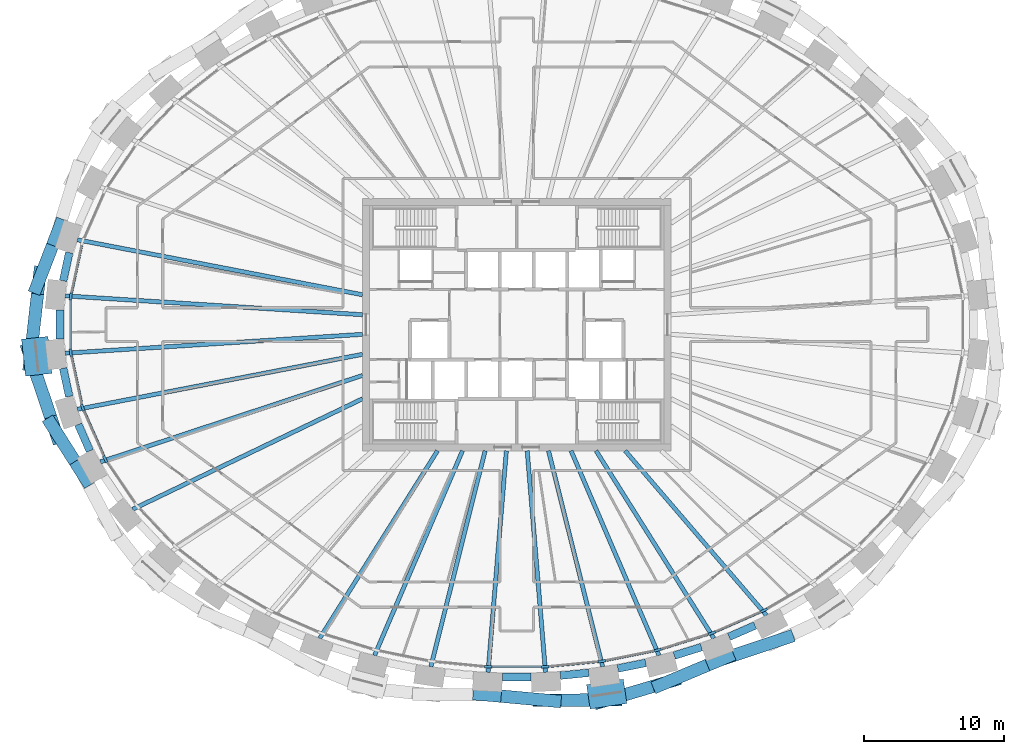
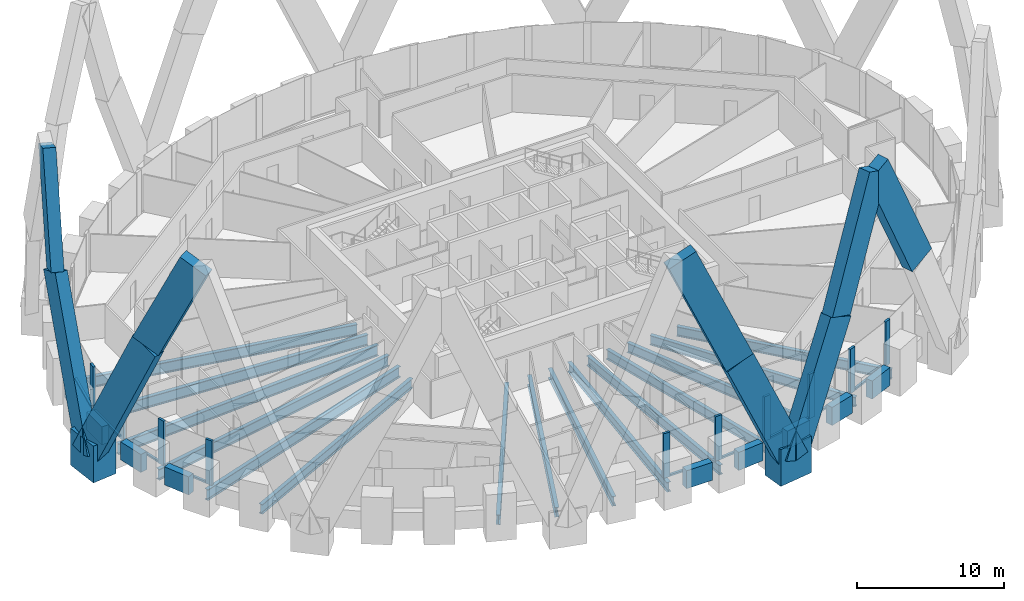
# One storey, part 2 of 14: 30 members, 24 beams, 1 element without a shape of its own.
"""IFC4 building model written with IfcOpenShell, lengths in metres."""

from ifc_helpers import new_model, si_unit, direction, frame, origin, origin_2d, place, context, subcontext, project, spatial, rectangle, i_section, extrude, source, transform, mapped, material, material_profile, profile_set, type_object, element, aggregate, save


model = new_model("IFC4")

# Units and contexts
model_context = context("Model", 3, precision=1e-05, world=origin(), true_north=direction((0.0, 1.0)))
body_context = subcontext(model_context, "Body", "Model", "MODEL_VIEW")
ifc_project = project(units=[si_unit("LENGTHUNIT", "METRE"), si_unit("AREAUNIT", "SQUARE_METRE"), si_unit("VOLUMEUNIT", "CUBIC_METRE"), si_unit("PLANEANGLEUNIT", "RADIAN"), si_unit("MASSUNIT", "GRAM", prefix="KILO")], contexts=[model_context])

# Site, building, storey
site_placement = place(None, origin())
site = spatial("IfcSite", under=ifc_project, at=site_placement, CompositionType="ELEMENT")
building_placement = place(site_placement, origin())
building = spatial("IfcBuilding", under=site, at=building_placement, Name="Embergate Tower", CompositionType="ELEMENT")
storey_placement = place(building_placement, frame((0.0, 0.0, 257.800048828125)))
storey = spatial("IfcBuildingStorey", under=building, at=storey_placement, Name="L59", CompositionType="ELEMENT", Elevation=257.800048828125)

# Beams
ifc_material_1 = material(Name="Concrete C60", Category="concrete")
ifc_material_profile_1 = material_profile(ifc_material_1, rectangle(XDim=0.550048828125, YDim=1.5, at=origin_2d()), Name="RC 550x1500")
ifc_profile_set_1 = profile_set([ifc_material_profile_1], Name="Concrete C60")
beam_type_1 = type_object("IfcBeamType", Name="Spandrel beam RC 550x1500 C60", PredefinedType="BEAM", material=ifc_profile_set_1)
shared_shape_1 = source(origin(), body_context, "Body", "SweptSolid", [
    extrude(rectangle(XDim=0.550048828125, YDim=1.5, at=origin_2d()), origin(), (0.0, 0.0, 1.0), 2.05810546875),
])
for number, where, z_axis, x_axis, name in (
    (1, (-31.910888671875, 5.12890625, 0.0), (-0.210444450804, -0.977605816843, 0.0), (0.977605816843, -0.210444450804, 0.0), "SPN-L59-20"),
    (2, (-32.56591796875, 1.029052734375, 0.0), (0.0, -1.0, 0.0), (1.0, 0.0, 0.0), "SPN-L59-21"),
    (3, (-32.343994140625, -3.116943359375, 0.0), (0.210444450804, -0.977605816843, 0.0), (0.977605816843, 0.210444450804, 0.0), "SPN-L59-22"),
):
    element("IfcBeam", number, at=place(storey_placement, frame(where, z_axis=z_axis, x_axis=x_axis)), inside=storey, type_object=beam_type_1, Name=name, PredefinedType="BEAM", context=body_context, shape_type="MappedRepresentation", body=[
        mapped(shared_shape_1, transform((0.0, 0.0, 0.0))),
    ])
shared_shape_2 = source(origin(), body_context, "Body", "SweptSolid", [
    extrude(rectangle(XDim=0.550048828125, YDim=1.5, at=origin_2d()), origin(), (0.0, 0.0, 1.0), 2.054443359375),
])
beam_1_placement = place(storey_placement, frame((-31.264892578125, -7.126953125, 0.0), z_axis=(0.402021652571, -0.915630160526, 0.0), x_axis=(0.915630160526, 0.402021652571, 0.0)))
element("IfcBeam", 4, at=beam_1_placement, inside=storey, type_object=beam_type_1, Name="SPN-L59-23", PredefinedType="BEAM", context=body_context, shape_type="MappedRepresentation", body=[
    mapped(shared_shape_2, transform((0.0, 0.0, 0.0))),
])
shared_shape_3 = source(origin(), body_context, "Body", "SweptSolid", [
    extrude(rectangle(XDim=0.550048828125, YDim=1.5, at=origin_2d()), origin(), (0.0, 0.0, 1.0), 2.03076171875),
])
beam_2_placement = place(storey_placement, frame((15.131103515625, -22.264892578125, 0.0), z_axis=(0.916361402872, 0.400352069216, 0.0), x_axis=(-0.400352069216, 0.916361402872, 0.0)))
element("IfcBeam", 5, at=beam_2_placement, inside=storey, type_object=beam_type_1, Name="SPN-L59-36", PredefinedType="BEAM", context=body_context, shape_type="MappedRepresentation", body=[
    mapped(shared_shape_3, transform((0.0, 0.0, 0.0))),
])
shared_shape_4 = source(origin(), body_context, "Body", "SweptSolid", [
    extrude(rectangle(XDim=0.550048828125, YDim=1.5, at=origin_2d()), origin(), (0.0, 0.0, 1.0), 2.02880859375),
])
beam_3_placement = place(storey_placement, frame((11.22705078125, -23.60205078125, 0.0), z_axis=(0.954800624546, 0.297246980417, 0.0), x_axis=(-0.297246980417, 0.954800624546, 0.0)))
element("IfcBeam", 6, at=beam_3_placement, inside=storey, type_object=beam_type_1, Name="SPN-L59-35", PredefinedType="BEAM", context=body_context, shape_type="MappedRepresentation", body=[
    mapped(shared_shape_4, transform((0.0, 0.0, 0.0))),
])
shared_shape_5 = source(origin(), body_context, "Body", "SweptSolid", [
    extrude(rectangle(XDim=0.550048828125, YDim=1.5, at=origin_2d()), origin(), (0.0, 0.0, 1.0), 2.02734375),
])
beam_4_placement = place(storey_placement, frame((7.2041015625, -24.52001953125, 0.0), z_axis=(0.980543602706, 0.196301409041, 0.0), x_axis=(-0.196301409041, 0.980543602706, 0.0)))
element("IfcBeam", 7, at=beam_4_placement, inside=storey, type_object=beam_type_1, Name="SPN-L59-34", PredefinedType="BEAM", context=body_context, shape_type="MappedRepresentation", body=[
    mapped(shared_shape_5, transform((0.0, 0.0, 0.0))),
])
shared_shape_6 = source(origin(), body_context, "Body", "SweptSolid", [
    extrude(rectangle(XDim=0.550048828125, YDim=1.5, at=origin_2d()), origin(), (0.0, 0.0, 1.0), 2.025634765625),
])
beam_5_placement = place(storey_placement, frame((3.111083984375, -25.028076171875, 0.0), z_axis=(0.995211067802, 0.097749324935, 0.0), x_axis=(-0.097749324935, 0.995211067802, 0.0)))
element("IfcBeam", 8, at=beam_5_placement, inside=storey, type_object=beam_type_1, Name="SPN-L59-33", PredefinedType="BEAM", context=body_context, shape_type="MappedRepresentation", body=[
    mapped(shared_shape_6, transform((0.0, 0.0, 0.0))),
])
shared_shape_7 = source(origin(), body_context, "Body", "SweptSolid", [
    extrude(rectangle(XDim=0.550048828125, YDim=1.5, at=origin_2d()), origin(), (0.0, 0.0, 1.0), 2.02587890625),
])
beam_6_placement = place(storey_placement, frame((-1.012939453125, -25.131103515625, 0.0), z_axis=(1.0, 0.0, 0.0), x_axis=(0.0, 1.0, 0.0)))
element("IfcBeam", 9, at=beam_6_placement, inside=storey, type_object=beam_type_1, Name="SPN-L59-32", PredefinedType="BEAM", context=body_context, shape_type="MappedRepresentation", body=[
    mapped(shared_shape_7, transform((0.0, 0.0, 0.0))),
])
ifc_material_2 = material(Name="Steel Q355B", Category="steel")
ifc_material_profile_2 = material_profile(ifc_material_2, i_section(OverallWidth=0.300048828125, OverallDepth=0.89990234375, WebThickness=0.01611328125, FlangeThickness=0.028076171875, FilletRadius=0.028076171875, at=origin_2d()), Name="HN 900x300x16x28")
ifc_profile_set_2 = profile_set([ifc_material_profile_2], Name="Steel Q355 grade B")
beam_type_2 = type_object("IfcBeamType", Name="Radial girder HN 900x300x16x28", PredefinedType="BEAM", material=ifc_profile_set_2)
shared_shape_8 = source(origin(), body_context, "Body", "SweptSolid", [
    extrude(i_section(OverallWidth=0.300048828125, OverallDepth=0.89990234375, WebThickness=0.01611328125, FlangeThickness=0.028076171875, FilletRadius=0.028076171875, at=origin_2d()), origin(), (0.0, 0.0, 1.0), 21.233642578125),
])
for number, where, z_axis, x_axis, name in (
    (10, (-32.19091796875, 2.044921875, -0.650146484375), (0.99798898664, -0.063387558277, 0.0), (0.063387558277, 0.99798898664, 0.0), "GIR-L59-21"),
    (11, (-32.19091796875, -2.044921875, -0.650146484375), (0.99798898664, 0.063387558277, 0.0), (-0.063387558277, 0.99798898664, 0.0), "GIR-L59-22"),
):
    element("IfcBeam", number, at=place(storey_placement, frame(where, z_axis=z_axis, x_axis=x_axis)), inside=storey, type_object=beam_type_2, Name=name, PredefinedType="BEAM", context=body_context, shape_type="MappedRepresentation", body=[
        mapped(shared_shape_8, transform((0.0, 0.0, 0.0))),
    ])
shared_shape_9 = source(origin(), body_context, "Body", "SweptSolid", [
    extrude(i_section(OverallWidth=0.300048828125, OverallDepth=0.89990234375, WebThickness=0.01611328125, FlangeThickness=0.028076171875, FilletRadius=0.028076171875, at=origin_2d()), origin(), (0.0, 0.0, 1.0), 20.704833984375),
])
for number, where, z_axis, x_axis, name in (
    (12, (-31.330078125, 6.0439453125, -0.650146484375), (0.981896609236, -0.189417656965, 0.0), (0.189417656965, 0.981896609236, 0.0), "GIR-L59-20"),
    (13, (-31.330078125, -6.0439453125, -0.650146484375), (0.981896609236, 0.189417656965, 0.0), (-0.189417656965, 0.981896609236, 0.0), "GIR-L59-23"),
):
    element("IfcBeam", number, at=place(storey_placement, frame(where, z_axis=z_axis, x_axis=x_axis)), inside=storey, type_object=beam_type_2, Name=name, PredefinedType="BEAM", context=body_context, shape_type="MappedRepresentation", body=[
        mapped(shared_shape_9, transform((0.0, 0.0, 0.0))),
    ])
shared_shape_10 = source(origin(), body_context, "Body", "SweptSolid", [
    extrude(i_section(OverallWidth=0.300048828125, OverallDepth=0.89990234375, WebThickness=0.01611328125, FlangeThickness=0.028076171875, FilletRadius=0.028076171875, at=origin_2d()), origin(), (0.0, 0.0, 1.0), 19.67578125),
])
beam_7_placement = place(storey_placement, frame((-29.68603515625, -9.7900390625, -0.650146484375), z_axis=(0.949693396369, 0.313181182215, 0.0), x_axis=(-0.313181182215, 0.949693396369, 0.0)))
element("IfcBeam", 14, at=beam_7_placement, inside=storey, type_object=beam_type_2, Name="GIR-L59-24", PredefinedType="BEAM", context=body_context, shape_type="MappedRepresentation", body=[
    mapped(shared_shape_10, transform((0.0, 0.0, 0.0))),
])
ifc_material_profile_3 = material_profile(ifc_material_2, i_section(OverallWidth=0.300048828125, OverallDepth=0.800048828125, WebThickness=0.013916015625, FlangeThickness=0.02587890625, FilletRadius=0.028076171875, at=origin_2d()), Name="HN 800x300x14x26")
ifc_profile_set_3 = profile_set([ifc_material_profile_3], Name="Steel Q355 grade B")
beam_type_3 = type_object("IfcBeamType", Name="Radial girder HN 800x300x14x26", PredefinedType="BEAM", material=ifc_profile_set_3)
shared_shape_11 = source(origin(), body_context, "Body", "SweptSolid", [
    extrude(i_section(OverallWidth=0.300048828125, OverallDepth=0.800048828125, WebThickness=0.013916015625, FlangeThickness=0.02587890625, FilletRadius=0.028076171875, at=origin_2d()), origin(), (0.0, 0.0, 1.0), 18.182373046875),
])
beam_8_placement = place(storey_placement, frame((-27.385009765625, -13.174072265625, -0.60009765625), z_axis=(0.901152068073, 0.433503114415, 0.0), x_axis=(-0.433503114415, 0.901152068073, 0.0)))
element("IfcBeam", 15, at=beam_8_placement, inside=storey, type_object=beam_type_3, Name="GIR-L59-25", PredefinedType="BEAM", context=body_context, shape_type="MappedRepresentation", body=[
    mapped(shared_shape_11, transform((0.0, 0.0, 0.0))),
])
shared_shape_12 = source(origin(), body_context, "Body", "SweptSolid", [
    extrude(i_section(OverallWidth=0.300048828125, OverallDepth=0.800048828125, WebThickness=0.013916015625, FlangeThickness=0.02587890625, FilletRadius=0.028076171875, at=origin_2d()), origin(), (0.0, 0.0, 1.0), 15.462890625),
])
beam_9_placement = place(storey_placement, frame((17.802978515625, -20.73095703125, -0.60009765625), z_axis=(-0.651494533004, 0.75865332891, 0.0), x_axis=(-0.75865332891, -0.651494533004, 0.0)))
element("IfcBeam", 16, at=beam_9_placement, inside=storey, type_object=beam_type_3, Name="GIR-L59-37", PredefinedType="BEAM", context=body_context, shape_type="MappedRepresentation", body=[
    mapped(shared_shape_12, transform((0.0, 0.0, 0.0))),
])
shared_shape_13 = source(origin(), body_context, "Body", "SweptSolid", [
    extrude(i_section(OverallWidth=0.300048828125, OverallDepth=0.800048828125, WebThickness=0.013916015625, FlangeThickness=0.02587890625, FilletRadius=0.028076171875, at=origin_2d()), origin(), (0.0, 0.0, 1.0), 15.791015625),
])
for number, where, z_axis, x_axis, name in (
    (17, (-14.051025390625, -22.3720703125, -0.60009765625), (0.531882110567, 0.846818410557, 0.0), (-0.846818410557, 0.531882110567, 0.0), "GIR-L59-29"),
    (18, (14.051025390625, -22.3720703125, -0.60009765625), (-0.531882110567, 0.846818410557, 0.0), (-0.846818410557, -0.531882110567, 0.0), "GIR-L59-36"),
):
    element("IfcBeam", number, at=place(storey_placement, frame(where, z_axis=z_axis, x_axis=x_axis)), inside=storey, type_object=beam_type_3, Name=name, PredefinedType="BEAM", context=body_context, shape_type="MappedRepresentation", body=[
        mapped(shared_shape_13, transform((0.0, 0.0, 0.0))),
    ])
shared_shape_14 = source(origin(), body_context, "Body", "SweptSolid", [
    extrude(i_section(OverallWidth=0.300048828125, OverallDepth=0.800048828125, WebThickness=0.013916015625, FlangeThickness=0.02587890625, FilletRadius=0.028076171875, at=origin_2d()), origin(), (0.0, 0.0, 1.0), 15.881103515625),
])
for number, where, z_axis, x_axis, name in (
    (19, (-10.14111328125, -23.590087890625, -0.60009765625), (0.394946920714, 0.918703940243, 0.0), (-0.918703940243, 0.394946920714, 0.0), "GIR-L59-30"),
    (20, (10.14111328125, -23.590087890625, -0.60009765625), (-0.394946920714, 0.918703940243, 0.0), (-0.918703940243, -0.394946920714, 0.0), "GIR-L59-35"),
):
    element("IfcBeam", number, at=place(storey_placement, frame(where, z_axis=z_axis, x_axis=x_axis)), inside=storey, type_object=beam_type_3, Name=name, PredefinedType="BEAM", context=body_context, shape_type="MappedRepresentation", body=[
        mapped(shared_shape_14, transform((0.0, 0.0, 0.0))),
    ])
shared_shape_15 = source(origin(), body_context, "Body", "SweptSolid", [
    extrude(i_section(OverallWidth=0.300048828125, OverallDepth=0.800048828125, WebThickness=0.013916015625, FlangeThickness=0.02587890625, FilletRadius=0.028076171875, at=origin_2d()), origin(), (0.0, 0.0, 1.0), 15.872802734375),
])
for number, where, z_axis, x_axis, name in (
    (21, (-6.1240234375, -24.39501953125, -0.60009765625), (0.243498181484, 0.969901353548, 0.0), (-0.969901353548, 0.243498181484, 0.0), "GIR-L59-31"),
    (22, (6.1240234375, -24.39501953125, -0.60009765625), (-0.243498181484, 0.969901353548, 0.0), (-0.969901353548, -0.243498181484, 0.0), "GIR-L59-34"),
):
    element("IfcBeam", number, at=place(storey_placement, frame(where, z_axis=z_axis, x_axis=x_axis)), inside=storey, type_object=beam_type_3, Name=name, PredefinedType="BEAM", context=body_context, shape_type="MappedRepresentation", body=[
        mapped(shared_shape_15, transform((0.0, 0.0, 0.0))),
    ])
shared_shape_16 = source(origin(), body_context, "Body", "SweptSolid", [
    extrude(i_section(OverallWidth=0.300048828125, OverallDepth=0.800048828125, WebThickness=0.013916015625, FlangeThickness=0.02587890625, FilletRadius=0.028076171875, at=origin_2d()), origin(), (0.0, 0.0, 1.0), 15.849609375),
])
for number, where, z_axis, x_axis, name in (
    (23, (-2.048095703125, -24.7958984375, -0.60009765625), (0.082346886075, 0.996603727845, 0.0), (-0.996603727845, 0.082346886075, 0.0), "GIR-L59-32"),
    (24, (2.048095703125, -24.7958984375, -0.60009765625), (-0.082346886075, 0.996603727845, 0.0), (-0.996603727845, -0.082346886075, 0.0), "GIR-L59-33"),
):
    element("IfcBeam", number, at=place(storey_placement, frame(where, z_axis=z_axis, x_axis=x_axis)), inside=storey, type_object=beam_type_3, Name=name, PredefinedType="BEAM", context=body_context, shape_type="MappedRepresentation", body=[
        mapped(shared_shape_16, transform((0.0, 0.0, 0.0))),
    ])

# Members
ifc_material_3 = material(Name="Concrete C70", Category="concrete")
ifc_material_profile_4 = material_profile(ifc_material_3, rectangle(XDim=1.75, YDim=2.64990234375, at=origin_2d()), Name="RC 1750x2650")
ifc_profile_set_4 = profile_set([ifc_material_profile_4], Name="Concrete C70")
member_type_1 = type_object("IfcMemberType", Name="Lattice node block RC 1750x2650", PredefinedType="POST", material=ifc_profile_set_4)
shared_shape_17 = source(origin(), body_context, "Body", "SweptSolid", [
    extrude(rectangle(XDim=1.75, YDim=2.64990234375, at=origin_2d()), origin(), (0.0, 0.0, 1.0), 3.050048828125),
])
member_1_placement = place(storey_placement, frame((6.4140625, -26.34912109375, -1.525146484375), z_axis=(0.0, 0.0, 1.0), x_axis=(0.146929011949, -0.989147039346, 0.0)))
element("IfcMember", 25, at=member_1_placement, inside=storey, type_object=member_type_1, Name="NOD-L59-34", PredefinedType="POST", context=body_context, shape_type="MappedRepresentation", body=[
    mapped(shared_shape_17, transform((0.0, 0.0, 0.0))),
])
ifc_material_profile_5 = material_profile(ifc_material_3, rectangle(XDim=1.89990234375, YDim=2.64990234375, at=origin_2d()), Name="RC 1900x2650")
ifc_profile_set_5 = profile_set([ifc_material_profile_5], Name="Concrete C70")
member_type_2 = type_object("IfcMemberType", Name="Lattice node block RC 1900x2650", PredefinedType="POST", material=ifc_profile_set_5)
shared_shape_18 = source(origin(), body_context, "Body", "SweptSolid", [
    extrude(rectangle(XDim=1.89990234375, YDim=2.64990234375, at=origin_2d()), origin(), (0.0, 0.0, 1.0), 3.050048828125),
])
member_2_placement = place(storey_placement, frame((-34.22900390625, -2.263916015625, -1.525146484375), z_axis=(0.0, 0.0, 1.0), x_axis=(-0.99428589498, -0.106749983816, 0.0)))
element("IfcMember", 26, at=member_2_placement, inside=storey, type_object=member_type_2, Name="NOD-L59-22", PredefinedType="POST", context=body_context, shape_type="MappedRepresentation", body=[
    mapped(shared_shape_18, transform((0.0, 0.0, 0.0))),
])
ifc_material_profile_6 = material_profile(ifc_material_3, rectangle(XDim=0.89990234375, YDim=2.199951171875, at=origin_2d()), Name="RC 900x2200")
ifc_profile_set_6 = profile_set([ifc_material_profile_6], Name="Concrete C70")
member_type_3 = type_object("IfcMemberType", Name="Lattice diagonal terracotta-faced RC 900x2200", PredefinedType="BRACE", material=ifc_profile_set_6)
shared_shape_19 = source(origin(), body_context, "Body", "SweptSolid", [
    extrude(rectangle(XDim=0.89990234375, YDim=2.199951171875, at=origin_2d()), origin(), (0.0, 0.0, 1.0), 12.932373046875),
])
member_3_placement = place(storey_placement, frame((-34.678955078125, -2.31201171875, 0.0), z_axis=(0.0477807035, 0.423362329785, 0.904699586654), x_axis=(-0.993691503744, 0.112148095781, 0.0)))
element("IfcMember", 27, at=member_3_placement, inside=storey, type_object=member_type_3, Name="BRC-L59-22-20-S00", PredefinedType="BRACE", context=body_context, shape_type="MappedRepresentation", body=[
    mapped(shared_shape_19, transform((0.0, 0.0, 0.0))),
])
shared_shape_20 = source(origin(), body_context, "Body", "SweptSolid", [
    extrude(rectangle(XDim=0.89990234375, YDim=2.199951171875, at=origin_2d()), origin(), (0.0, 0.0, 1.0), 8.612548828125),
])
member_4_placement = place(storey_placement, frame((-34.06103515625, 3.1630859375, 11.699951171875), z_axis=(0.152931995731, 0.395468817875, 0.905657892789), x_axis=(-0.932689291582, 0.3606808636, 0.0)))
element("IfcMember", 28, at=member_4_placement, inside=storey, type_object=member_type_3, Name="BRC-L59-22-20-S01", PredefinedType="BRACE", context=body_context, shape_type="MappedRepresentation", body=[
    mapped(shared_shape_20, transform((0.0, 0.0, 0.0))),
])
shared_shape_21 = source(origin(), body_context, "Body", "SweptSolid", [
    extrude(rectangle(XDim=0.89990234375, YDim=2.199951171875, at=origin_2d()), origin(), (0.0, 0.0, 1.0), 12.927490234375),
])
member_5_placement = place(storey_placement, frame((-34.678955078125, -2.31201171875, 0.0), z_axis=(0.135294018804, -0.403238119696, 0.905038423107), x_axis=(0.948059844781, 0.318092016111, 0.0)))
element("IfcMember", 29, at=member_5_placement, inside=storey, type_object=member_type_3, Name="BRC-L59-22-24-S00", PredefinedType="BRACE", context=body_context, shape_type="MappedRepresentation", body=[
    mapped(shared_shape_21, transform((0.0, 0.0, 0.0))),
])
shared_shape_22 = source(origin(), body_context, "Body", "SweptSolid", [
    extrude(rectangle(XDim=0.89990234375, YDim=2.199951171875, at=origin_2d()), origin(), (0.0, 0.0, 1.0), 8.614013671875),
])
member_6_placement = place(storey_placement, frame((-32.929931640625, -7.52490234375, 11.699951171875), z_axis=(0.227415748767, -0.358270498525, 0.90549672948), x_axis=(0.84427421345, 0.535911422255, 0.0)))
element("IfcMember", 30, at=member_6_placement, inside=storey, type_object=member_type_3, Name="BRC-L59-22-24-S01", PredefinedType="BRACE", context=body_context, shape_type="MappedRepresentation", body=[
    mapped(shared_shape_22, transform((0.0, 0.0, 0.0))),
])
shared_shape_23 = source(origin(), body_context, "Body", "SweptSolid", [
    extrude(rectangle(XDim=0.89990234375, YDim=2.199951171875, at=origin_2d()), origin(), (0.0, 0.0, 1.0), 10.66552734375),
])
member_7_placement = place(storey_placement, frame((6.47607421875, -26.760009765625, 0.0), z_axis=(-0.405327166442, -0.003090256253, 0.914166471962), x_axis=(0.007623881889, -0.99997093779, 0.0)))
element("IfcMember", 31, at=member_7_placement, inside=storey, type_object=member_type_3, Name="BRC-L59-34-32-S00", PredefinedType="BRACE", context=body_context, shape_type="MappedRepresentation", body=[
    mapped(shared_shape_23, transform((0.0, 0.0, 0.0))),
])
shared_shape_24 = source(origin(), body_context, "Body", "SweptSolid", [
    extrude(rectangle(XDim=0.89990234375, YDim=2.199951171875, at=origin_2d()), origin(), (0.0, 0.0, 1.0), 10.64990234375),
])
member_8_placement = place(storey_placement, frame((2.153076171875, -26.79296875, 9.75), z_axis=(-0.400670939156, 0.036243320449, 0.91550489908), x_axis=(-0.090088754117, -0.99593374096, 0.0)))
element("IfcMember", 32, at=member_8_placement, inside=storey, type_object=member_type_3, Name="BRC-L59-34-32-S01", PredefinedType="BRACE", context=body_context, shape_type="MappedRepresentation", body=[
    mapped(shared_shape_24, transform((0.0, 0.0, 0.0))),
])
shared_shape_25 = source(origin(), body_context, "Body", "SweptSolid", [
    extrude(rectangle(XDim=0.89990234375, YDim=2.199951171875, at=origin_2d()), origin(), (0.0, 0.0, 1.0), 10.684814453125),
])
member_9_placement = place(storey_placement, frame((6.47607421875, -26.760009765625, 0.0), z_axis=(0.392229462029, 0.11614251168, 0.912505871815), x_axis=(-0.283922866577, 0.958847123286, 0.0)))
element("IfcMember", 33, at=member_9_placement, inside=storey, type_object=member_type_3, Name="BRC-L59-34-36-S00", PredefinedType="BRACE", context=body_context, shape_type="MappedRepresentation", body=[
    mapped(shared_shape_25, transform((0.0, 0.0, 0.0))),
])
shared_shape_26 = source(origin(), body_context, "Body", "SweptSolid", [
    extrude(rectangle(XDim=0.89990234375, YDim=2.199951171875, at=origin_2d()), origin(), (0.0, 0.0, 1.0), 10.611328125),
])
member_10_placement = place(storey_placement, frame((10.6669921875, -25.51904296875, 9.75), z_axis=(0.363867369122, 0.152771377235, 0.918837006213), x_axis=(-0.387118496144, 0.922029972367, 0.0)))
element("IfcMember", 34, at=member_10_placement, inside=storey, type_object=member_type_3, Name="BRC-L59-34-36-S01", PredefinedType="BRACE", context=body_context, shape_type="MappedRepresentation", body=[
    mapped(shared_shape_26, transform((0.0, 0.0, 0.0))),
])
shared_shape_27 = source(origin(), body_context, "Body", "SweptSolid", [
    extrude(rectangle(XDim=0.89990234375, YDim=2.199951171875, at=origin_2d()), origin(), (0.0, 0.0, 1.0), 10.72412109375),
])
member_11_placement = place(storey_placement, frame((18.764892578125, -22.486083984375, 9.75), z_axis=(-0.395074042089, -0.131653404714, 0.909166586658), x_axis=(0.316145762649, -0.948710628569, 0.0)))
element("IfcMember", 35, at=member_11_placement, inside=storey, type_object=member_type_3, Name="BRC-L59-38-36-S01", PredefinedType="BRACE", context=body_context, shape_type="MappedRepresentation", body=[
    mapped(shared_shape_27, transform((0.0, 0.0, 0.0))),
])

# Curtain wall, members
ifc_material_4 = material(Name="Aluminium and glass", Category="aluminium")
curtain_wall_type = type_object("IfcCurtainWallType", Name="Recessed office glazing", PredefinedType="NOTDEFINED", material=ifc_material_4)
curtain_wall_placement = place(storey_placement, origin())
curtain_wall = element("IfcCurtainWall", 36, at=curtain_wall_placement, inside=storey, type_object=curtain_wall_type, Name="Recessed office glazing ring", ObjectType="RECESSED OFFICE GLAZING", PredefinedType="USERDEFINED")
ifc_material_5 = material(Name="Aluminium, thermally broken", Category="aluminium")
ifc_material_profile_7 = material_profile(ifc_material_5, rectangle(XDim=0.179931640625, YDim=0.52001953125, at=origin_2d()), Name="AL 520x180")
ifc_profile_set_7 = profile_set([ifc_material_profile_7], Name="Aluminium, thermally broken")
member_type_4 = type_object("IfcMemberType", Name="Office mullion", PredefinedType="MULLION", material=ifc_profile_set_7)
shared_shape_28 = source(origin(), body_context, "Body", "SweptSolid", [
    extrude(rectangle(XDim=0.179931640625, YDim=0.52001953125, at=origin_2d()), origin(), (0.0, 0.0, 1.0), 3.699951171875),
])
member_12_placement = place(storey_placement, frame((-31.802490234375, 2.003173828125, 0.0), z_axis=(0.0, 0.0, 1.0), x_axis=(0.994384400633, -0.105828463931, 0.0)))
member_12 = element("IfcMember", 37, at=member_12_placement, type_object=member_type_4, Name="CW mullion 22", PredefinedType="MULLION", context=body_context, shape_type="MappedRepresentation", body=[
    mapped(shared_shape_28, transform((0.0, 0.0, 0.0))),
])
member_13_placement = place(storey_placement, frame((-31.802490234375, -2.003173828125, 0.0), z_axis=(0.0, 0.0, 1.0), x_axis=(0.994384400633, 0.105828463931, 0.0)))
member_13 = element("IfcMember", 38, at=member_13_placement, type_object=member_type_4, Name="CW mullion 23", PredefinedType="MULLION", context=body_context, shape_type="MappedRepresentation", body=[
    mapped(shared_shape_28, transform((0.0, 0.0, 0.0))),
])
member_14_placement = place(storey_placement, frame((-30.958984375, -5.922607421875, 0.0), z_axis=(0.0, 0.0, 1.0), x_axis=(0.9514940392, 0.307667179542, 0.0)))
member_14 = element("IfcMember", 39, at=member_14_placement, type_object=member_type_4, Name="CW mullion 24", PredefinedType="MULLION", context=body_context, shape_type="MappedRepresentation", body=[
    mapped(shared_shape_28, transform((0.0, 0.0, 0.0))),
])
member_15_placement = place(storey_placement, frame((-29.34619140625, -9.600341796875, 0.0), z_axis=(0.0, 0.0, 1.0), x_axis=(0.874994291193, 0.484133236186, 0.0)))
member_15 = element("IfcMember", 40, at=member_15_placement, type_object=member_type_4, Name="CW mullion 25", PredefinedType="MULLION", context=body_context, shape_type="MappedRepresentation", body=[
    mapped(shared_shape_28, transform((0.0, 0.0, 0.0))),
])
member_16_placement = place(storey_placement, frame((-2.02880859375, -24.406494140625, 0.0), z_axis=(0.0, 0.0, 1.0), x_axis=(0.048970053385, 0.998800247232, 0.0)))
member_16 = element("IfcMember", 41, at=member_16_placement, type_object=member_type_4, Name="CW mullion 33", PredefinedType="MULLION", context=body_context, shape_type="MappedRepresentation", body=[
    mapped(shared_shape_28, transform((0.0, 0.0, 0.0))),
])
member_17_placement = place(storey_placement, frame((2.02880859375, -24.406494140625, 0.0), z_axis=(0.0, 0.0, 1.0), x_axis=(-0.048970053385, 0.998800247232, 0.0)))
member_17 = element("IfcMember", 42, at=member_17_placement, type_object=member_type_4, Name="CW mullion 34", PredefinedType="MULLION", context=body_context, shape_type="MappedRepresentation", body=[
    mapped(shared_shape_28, transform((0.0, 0.0, 0.0))),
])
member_18_placement = place(storey_placement, frame((6.06689453125, -24.009521484375, 0.0), z_axis=(0.0, 0.0, 1.0), x_axis=(-0.147410656556, 0.989075375456, 0.0)))
member_18 = element("IfcMember", 43, at=member_18_placement, type_object=member_type_4, Name="CW mullion 35", PredefinedType="MULLION", context=body_context, shape_type="MappedRepresentation", body=[
    mapped(shared_shape_28, transform((0.0, 0.0, 0.0))),
])
member_19_placement = place(storey_placement, frame((10.0439453125, -23.2119140625, 0.0), z_axis=(0.0, 0.0, 1.0), x_axis=(-0.247308499144, 0.96893679167, 0.0)))
member_19 = element("IfcMember", 44, at=member_19_placement, type_object=member_type_4, Name="CW mullion 36", PredefinedType="MULLION", context=body_context, shape_type="MappedRepresentation", body=[
    mapped(shared_shape_28, transform((0.0, 0.0, 0.0))),
])
member_20_placement = place(storey_placement, frame((13.914794921875, -22.006591796875, 0.0), z_axis=(0.0, 0.0, 1.0), x_axis=(-0.349497777064, 0.936937193107, 0.0)))
member_20 = element("IfcMember", 45, at=member_20_placement, type_object=member_type_4, Name="CW mullion 37", PredefinedType="MULLION", context=body_context, shape_type="MappedRepresentation", body=[
    mapped(shared_shape_28, transform((0.0, 0.0, 0.0))),
])
member_21_placement = place(storey_placement, frame((17.626220703125, -20.383544921875, 0.0), z_axis=(0.0, 0.0, 1.0), x_axis=(-0.45450516197, 0.8907441034, 0.0)))
member_21 = element("IfcMember", 46, at=member_21_placement, type_object=member_type_4, Name="CW mullion 38", PredefinedType="MULLION", context=body_context, shape_type="MappedRepresentation", body=[
    mapped(shared_shape_28, transform((0.0, 0.0, 0.0))),
])
ifc_material_profile_8 = material_profile(ifc_material_5, rectangle(XDim=0.179931640625, YDim=0.14990234375, at=origin_2d()), Name="AL 150x180")
ifc_profile_set_8 = profile_set([ifc_material_profile_8], Name="Aluminium, thermally broken")
member_type_5 = type_object("IfcMemberType", Name="Office sill transom", PredefinedType="USERDEFINED", material=ifc_profile_set_8)
shared_shape_29 = source(origin(), body_context, "Body", "SweptSolid", [
    extrude(rectangle(XDim=0.179931640625, YDim=0.14990234375, at=origin_2d()), origin(), (0.0, 0.0, 1.0), 3.4892578125),
])
member_22_placement = place(storey_placement, frame((-31.013916015625, 5.66845703125, 0.074951171875), z_axis=(-0.21033180344, -0.977630059103, 0.0), x_axis=(0.977630059103, -0.21033180344, 0.0)))
member_22 = element("IfcMember", 47, at=member_22_placement, type_object=member_type_5, Name="CW transom 21.1", ObjectType="TRANSOM", PredefinedType="USERDEFINED", context=body_context, shape_type="MappedRepresentation", body=[
    mapped(shared_shape_29, transform((0.0, 0.0, 0.0))),
])
member_23_placement = place(storey_placement, frame((-31.747802734375, -2.25732421875, 0.074951171875), z_axis=(0.21033180344, -0.977630059103, 0.0), x_axis=(0.977630059103, 0.21033180344, 0.0)))
member_23 = element("IfcMember", 48, at=member_23_placement, type_object=member_type_5, Name="CW transom 23.1", ObjectType="TRANSOM", PredefinedType="USERDEFINED", context=body_context, shape_type="MappedRepresentation", body=[
    mapped(shared_shape_29, transform((0.0, 0.0, 0.0))),
])
shared_shape_30 = source(origin(), body_context, "Body", "SweptSolid", [
    extrude(rectangle(XDim=0.179931640625, YDim=0.14990234375, at=origin_2d()), origin(), (0.0, 0.0, 1.0), 3.49609375),
])
member_24_placement = place(storey_placement, frame((-30.854736328125, -6.16064453125, 0.074951171875), z_axis=(0.401675879714, -0.915781899612, 0.0), x_axis=(0.915781899612, 0.401675879714, 0.0)))
member_24 = element("IfcMember", 49, at=member_24_placement, type_object=member_type_5, Name="CW transom 24.1", ObjectType="TRANSOM", PredefinedType="USERDEFINED", context=body_context, shape_type="MappedRepresentation", body=[
    mapped(shared_shape_30, transform((0.0, 0.0, 0.0))),
])
shared_shape_31 = source(origin(), body_context, "Body", "SweptSolid", [
    extrude(rectangle(XDim=0.179931640625, YDim=0.14990234375, at=origin_2d()), origin(), (0.0, 0.0, 1.0), 3.53076171875),
])
member_25_placement = place(storey_placement, frame((14.15283203125, -21.90234375, 0.074951171875), z_axis=(0.916241422351, 0.400626579209, 0.0), x_axis=(-0.400626579209, 0.916241422351, 0.0)))
member_25 = element("IfcMember", 50, at=member_25_placement, type_object=member_type_5, Name="CW transom 37.1", ObjectType="TRANSOM", PredefinedType="USERDEFINED", context=body_context, shape_type="MappedRepresentation", body=[
    mapped(shared_shape_31, transform((0.0, 0.0, 0.0))),
])
shared_shape_32 = source(origin(), body_context, "Body", "SweptSolid", [
    extrude(rectangle(XDim=0.179931640625, YDim=0.14990234375, at=origin_2d()), origin(), (0.0, 0.0, 1.0), 3.5341796875),
])
member_26_placement = place(storey_placement, frame((10.292236328125, -23.134521484375, 0.074951171875), z_axis=(0.954775746564, 0.297326880342, 0.0), x_axis=(-0.297326880342, 0.954775746564, 0.0)))
member_26 = element("IfcMember", 51, at=member_26_placement, type_object=member_type_5, Name="CW transom 36.1", ObjectType="TRANSOM", PredefinedType="USERDEFINED", context=body_context, shape_type="MappedRepresentation", body=[
    mapped(shared_shape_32, transform((0.0, 0.0, 0.0))),
])
shared_shape_33 = source(origin(), body_context, "Body", "SweptSolid", [
    extrude(rectangle(XDim=0.179931640625, YDim=0.14990234375, at=origin_2d()), origin(), (0.0, 0.0, 1.0), 3.5361328125),
])
member_27_placement = place(storey_placement, frame((6.322021484375, -23.95849609375, 0.074951171875), z_axis=(0.980463661571, 0.196700300811, 0.0), x_axis=(-0.196700300811, 0.980463661571, 0.0)))
member_27 = element("IfcMember", 52, at=member_27_placement, type_object=member_type_5, Name="CW transom 35.1", ObjectType="TRANSOM", PredefinedType="USERDEFINED", context=body_context, shape_type="MappedRepresentation", body=[
    mapped(shared_shape_33, transform((0.0, 0.0, 0.0))),
])
shared_shape_34 = source(origin(), body_context, "Body", "SweptSolid", [
    extrude(rectangle(XDim=0.179931640625, YDim=0.14990234375, at=origin_2d()), origin(), (0.0, 0.0, 1.0), 3.53759765625),
])
member_28_placement = place(storey_placement, frame((-1.768798828125, -24.406494140625, 0.074951171875), z_axis=(1.0, 0.0, 0.0), x_axis=(0.0, 1.0, 0.0)))
member_28 = element("IfcMember", 53, at=member_28_placement, type_object=member_type_5, Name="CW transom 33.1", ObjectType="TRANSOM", PredefinedType="USERDEFINED", context=body_context, shape_type="MappedRepresentation", body=[
    mapped(shared_shape_34, transform((0.0, 0.0, 0.0))),
])
member_29_placement = place(storey_placement, frame((2.28759765625, -24.381103515625, 0.074951171875), z_axis=(0.99519983538, 0.097863617654, 0.0), x_axis=(-0.097863617654, 0.99519983538, 0.0)))
member_29 = element("IfcMember", 54, at=member_29_placement, type_object=member_type_5, Name="CW transom 34.1", ObjectType="TRANSOM", PredefinedType="USERDEFINED", context=body_context, shape_type="MappedRepresentation", body=[
    mapped(shared_shape_34, transform((0.0, 0.0, 0.0))),
])
shared_shape_35 = source(origin(), body_context, "Body", "SweptSolid", [
    extrude(rectangle(XDim=0.179931640625, YDim=0.14990234375, at=origin_2d()), origin(), (0.0, 0.0, 1.0), 3.486328125),
])
member_30_placement = place(storey_placement, frame((-31.802490234375, 1.7431640625, 0.074951171875), z_axis=(0.0, -1.0, 0.0), x_axis=(1.0, 0.0, 0.0)))
member_30 = element("IfcMember", 55, at=member_30_placement, type_object=member_type_5, Name="CW transom 22.1", ObjectType="TRANSOM", PredefinedType="USERDEFINED", context=body_context, shape_type="MappedRepresentation", body=[
    mapped(shared_shape_35, transform((0.0, 0.0, 0.0))),
])
aggregate(curtain_wall, [member_12, member_13, member_14, member_15, member_16, member_17, member_18, member_19, member_20, member_21, member_22, member_30, member_23, member_24, member_28, member_29, member_27, member_26, member_25])

save(model, "model.ifc")
